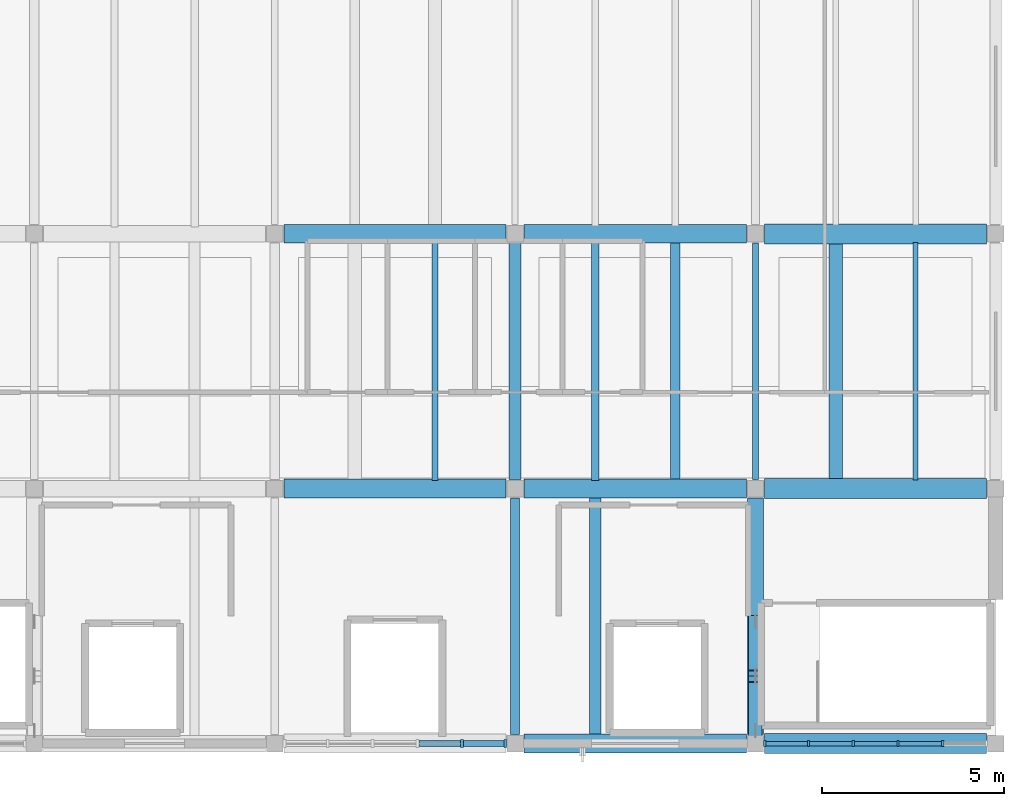
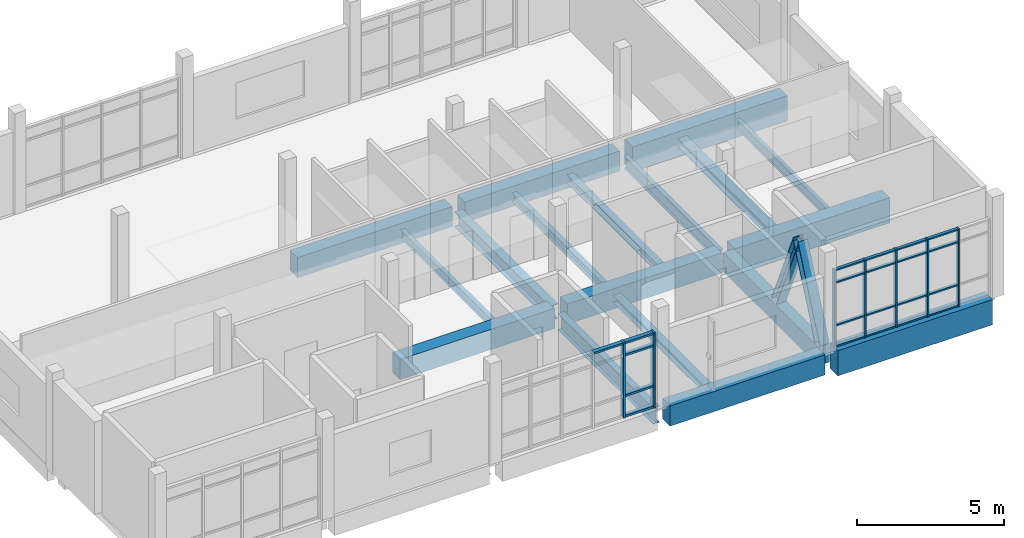
# One storey, part 3 of 10: 30 members, 18 beams, 2 elements without a shape of their own.
"""IFC4 building model written with IfcOpenShell, lengths in metres."""

from ifc_helpers import new_model, si_unit, direction, frame, origin, origin_2d, place, context, subcontext, project, spatial, rectangle, i_section, extrude, material, material_profile, profile_set, type_object, element, aggregate, save


model = new_model("IFC4")

# Units and contexts
model_context = context("Model", 3, precision=1e-05, world=origin(), true_north=direction((0.0, 1.0)))
body_context = subcontext(model_context, "Body", "Model", "MODEL_VIEW")
ifc_project = project(units=[si_unit("LENGTHUNIT", "METRE"), si_unit("AREAUNIT", "SQUARE_METRE"), si_unit("VOLUMEUNIT", "CUBIC_METRE"), si_unit("PLANEANGLEUNIT", "RADIAN"), si_unit("MASSUNIT", "GRAM", prefix="KILO")], contexts=[model_context])

# Site, building, storey
site_placement = place(None, origin())
site = spatial("IfcSite", under=ifc_project, at=site_placement, CompositionType="ELEMENT")
building_placement = place(site_placement, origin())
building = spatial("IfcBuilding", under=site, at=building_placement, Name="Ciguamira Faculty of Natural Sciences", CompositionType="ELEMENT")
storey_placement = place(building_placement, frame((0.0, 0.0, 46.199951171875)))
storey = spatial("IfcBuildingStorey", under=building, at=storey_placement, Name="L11", CompositionType="ELEMENT", Elevation=46.199951171875)

# Curtain wall, members
ifc_material_1 = material(Name="Anodized aluminium curtain wall", Category="aluminium")
curtain_wall_type_1 = type_object("IfcCurtainWallType", Name="CurtainWall_CW-04", PredefinedType="USERDEFINED", material=ifc_material_1)
curtain_wall_1_placement = place(storey_placement, origin())
curtain_wall_1 = element("IfcCurtainWall", 1, at=curtain_wall_1_placement, inside=storey, type_object=curtain_wall_type_1, Name="L11 unitised curtain wall 0172", ObjectType="UNITISED CURTAIN WALL", PredefinedType="USERDEFINED")
ifc_material_2 = material(Name="Anodized aluminium mullion", Category="aluminium")
ifc_material_profile_1 = material_profile(ifc_material_2, rectangle(XDim=0.06005859375, YDim=0.159912109375, at=origin_2d()), Name="ALU-MUL-60X160")
ifc_profile_set_1 = profile_set([ifc_material_profile_1], Name="Anodized aluminium mullion")
member_type_1 = type_object("IfcMemberType", Name="CWMullion_CWM-01", PredefinedType="MULLION", material=ifc_profile_set_1)
member_1_placement = place(storey_placement, frame((97.155029296875, 94.0, 0.0), z_axis=(0.0, 0.0, 1.0), x_axis=(1.0, 0.0, 0.0)))
member_1 = element("IfcMember", 2, at=member_1_placement, type_object=member_type_1, Name="CW-04 mullion 1", PredefinedType="MULLION", context=body_context, shape_type="SweptSolid", body=[
    extrude(rectangle(XDim=0.06005859375, YDim=0.159912109375, at=origin_2d()), origin(), (0.0, 0.0, 1.0), 3.235107421875),
])
member_2_placement = place(storey_placement, frame((98.35498046875, 94.0, 0.0), z_axis=(0.0, 0.0, 1.0), x_axis=(1.0, 0.0, 0.0)))
member_2 = element("IfcMember", 3, at=member_2_placement, type_object=member_type_1, Name="CW-04 mullion 2", PredefinedType="MULLION", context=body_context, shape_type="SweptSolid", body=[
    extrude(rectangle(XDim=0.06005859375, YDim=0.159912109375, at=origin_2d()), origin(), (0.0, 0.0, 1.0), 3.235107421875),
])
member_3_placement = place(storey_placement, frame((99.5849609375, 94.0, 0.0), z_axis=(0.0, 0.0, 1.0), x_axis=(1.0, 0.0, 0.0)))
member_3 = element("IfcMember", 4, at=member_3_placement, type_object=member_type_1, Name="CW-04 mullion 3", PredefinedType="MULLION", context=body_context, shape_type="SweptSolid", body=[
    extrude(rectangle(XDim=0.06005859375, YDim=0.159912109375, at=origin_2d()), origin(), (0.0, 0.0, 1.0), 3.235107421875),
])
member_4_placement = place(storey_placement, frame((100.81494140625, 94.0, 0.0), z_axis=(0.0, 0.0, 1.0), x_axis=(1.0, 0.0, 0.0)))
member_4 = element("IfcMember", 5, at=member_4_placement, type_object=member_type_1, Name="CW-04 mullion 4", PredefinedType="MULLION", context=body_context, shape_type="SweptSolid", body=[
    extrude(rectangle(XDim=0.06005859375, YDim=0.159912109375, at=origin_2d()), origin(), (0.0, 0.0, 1.0), 3.235107421875),
])
member_5_placement = place(storey_placement, frame((102.044921875, 94.0, 0.0), z_axis=(0.0, 0.0, 1.0), x_axis=(1.0, 0.0, 0.0)))
member_5 = element("IfcMember", 6, at=member_5_placement, type_object=member_type_1, Name="CW-04 mullion 5", PredefinedType="MULLION", context=body_context, shape_type="SweptSolid", body=[
    extrude(rectangle(XDim=0.06005859375, YDim=0.159912109375, at=origin_2d()), origin(), (0.0, 0.0, 1.0), 3.235107421875),
])

curtain_wall_type_2 = type_object("IfcCurtainWallType", Name="CurtainWall_CW-03", PredefinedType="USERDEFINED", material=ifc_material_1)
curtain_wall_2_placement = place(storey_placement, origin())
curtain_wall_2 = element("IfcCurtainWall", 7, at=curtain_wall_2_placement, inside=storey, type_object=curtain_wall_type_2, Name="L11 unitised curtain wall 0171", ObjectType="UNITISED CURTAIN WALL", PredefinedType="USERDEFINED")
ifc_material_profile_2 = material_profile(ifc_material_2, rectangle(XDim=0.080078125, YDim=0.219970703125, at=origin_2d()), Name="ALU-MUL-80X220")
ifc_profile_set_2 = profile_set([ifc_material_profile_2], Name="Anodized aluminium mullion")
member_type_2 = type_object("IfcMemberType", Name="CWMullion_CWM-03", PredefinedType="MULLION", material=ifc_profile_set_2)
member_6_placement = place(storey_placement, frame((88.844970703125, 94.0, 0.0), z_axis=(0.0, 0.0, 1.0), x_axis=(1.0, 0.0, 0.0)))
member_6 = element("IfcMember", 8, at=member_6_placement, type_object=member_type_2, Name="CW-03 mullion 5", PredefinedType="MULLION", context=body_context, shape_type="SweptSolid", body=[
    extrude(rectangle(XDim=0.080078125, YDim=0.219970703125, at=origin_2d()), origin(), (0.0, 0.0, 1.0), 3.135009765625),
])
member_7_placement = place(storey_placement, frame((90.034912109375, 94.0, 0.0), z_axis=(0.0, 0.0, 1.0), x_axis=(1.0, 0.0, 0.0)))
member_7 = element("IfcMember", 9, at=member_7_placement, type_object=member_type_2, Name="CW-03 mullion 6", PredefinedType="MULLION", context=body_context, shape_type="SweptSolid", body=[
    extrude(rectangle(XDim=0.080078125, YDim=0.219970703125, at=origin_2d()), origin(), (0.0, 0.0, 1.0), 3.135009765625),
])

# Member
ifc_material_3 = material(Name="Anodized aluminium transom", Category="aluminium")
ifc_material_profile_3 = material_profile(ifc_material_3, rectangle(XDim=0.06005859375, YDim=0.1201171875, at=origin_2d()), Name="ALU-TRN-60X120")
ifc_profile_set_3 = profile_set([ifc_material_profile_3], Name="Anodized aluminium transom")
member_type_3 = type_object("IfcMemberType", Name="CWTransom_CWT-01", PredefinedType="USERDEFINED", material=ifc_profile_set_3)
member_8_placement = place(storey_placement, frame((97.18505859375, 94.0, 0.030029296875), z_axis=(1.0, 0.0, 0.0), x_axis=(0.0, 0.0, 1.0)))
member_8 = element("IfcMember", 10, at=member_8_placement, type_object=member_type_3, Name="CW-04 transom 1.1", ObjectType="TRANSOM", PredefinedType="USERDEFINED", context=body_context, shape_type="SweptSolid", body=[
    extrude(rectangle(XDim=0.06005859375, YDim=0.1201171875, at=origin_2d()), origin(), (0.0, 0.0, 1.0), 1.139892578125),
])

member_9_placement = place(storey_placement, frame((97.18505859375, 94.0, 0.900146484375), z_axis=(1.0, 0.0, 0.0), x_axis=(0.0, 0.0, 1.0)))
member_9 = element("IfcMember", 11, at=member_9_placement, type_object=member_type_3, Name="CW-04 transom 1.2", ObjectType="TRANSOM", PredefinedType="USERDEFINED", context=body_context, shape_type="SweptSolid", body=[
    extrude(rectangle(XDim=0.06005859375, YDim=0.1201171875, at=origin_2d()), origin(), (0.0, 0.0, 1.0), 1.139892578125),
])

member_10_placement = place(storey_placement, frame((97.18505859375, 94.0, 2.68505859375), z_axis=(1.0, 0.0, 0.0), x_axis=(0.0, 0.0, 1.0)))
member_10 = element("IfcMember", 12, at=member_10_placement, type_object=member_type_3, Name="CW-04 transom 1.3", ObjectType="TRANSOM", PredefinedType="USERDEFINED", context=body_context, shape_type="SweptSolid", body=[
    extrude(rectangle(XDim=0.06005859375, YDim=0.1201171875, at=origin_2d()), origin(), (0.0, 0.0, 1.0), 1.139892578125),
])

member_11_placement = place(storey_placement, frame((97.18505859375, 94.0, 3.205078125), z_axis=(1.0, 0.0, 0.0), x_axis=(0.0, 0.0, 1.0)))
member_11 = element("IfcMember", 13, at=member_11_placement, type_object=member_type_3, Name="CW-04 transom 1.4", ObjectType="TRANSOM", PredefinedType="USERDEFINED", context=body_context, shape_type="SweptSolid", body=[
    extrude(rectangle(XDim=0.06005859375, YDim=0.1201171875, at=origin_2d()), origin(), (0.0, 0.0, 1.0), 1.139892578125),
])

member_12_placement = place(storey_placement, frame((98.385009765625, 94.0, 0.030029296875), z_axis=(1.0, 0.0, 0.0), x_axis=(0.0, 0.0, 1.0)))
member_12 = element("IfcMember", 14, at=member_12_placement, type_object=member_type_3, Name="CW-04 transom 2.1", ObjectType="TRANSOM", PredefinedType="USERDEFINED", context=body_context, shape_type="SweptSolid", body=[
    extrude(rectangle(XDim=0.06005859375, YDim=0.1201171875, at=origin_2d()), origin(), (0.0, 0.0, 1.0), 1.169921875),
])

member_13_placement = place(storey_placement, frame((98.385009765625, 94.0, 0.900146484375), z_axis=(1.0, 0.0, 0.0), x_axis=(0.0, 0.0, 1.0)))
member_13 = element("IfcMember", 15, at=member_13_placement, type_object=member_type_3, Name="CW-04 transom 2.2", ObjectType="TRANSOM", PredefinedType="USERDEFINED", context=body_context, shape_type="SweptSolid", body=[
    extrude(rectangle(XDim=0.06005859375, YDim=0.1201171875, at=origin_2d()), origin(), (0.0, 0.0, 1.0), 1.169921875),
])

member_14_placement = place(storey_placement, frame((98.385009765625, 94.0, 2.68505859375), z_axis=(1.0, 0.0, 0.0), x_axis=(0.0, 0.0, 1.0)))
member_14 = element("IfcMember", 16, at=member_14_placement, type_object=member_type_3, Name="CW-04 transom 2.3", ObjectType="TRANSOM", PredefinedType="USERDEFINED", context=body_context, shape_type="SweptSolid", body=[
    extrude(rectangle(XDim=0.06005859375, YDim=0.1201171875, at=origin_2d()), origin(), (0.0, 0.0, 1.0), 1.169921875),
])

member_15_placement = place(storey_placement, frame((98.385009765625, 94.0, 3.205078125), z_axis=(1.0, 0.0, 0.0), x_axis=(0.0, 0.0, 1.0)))
member_15 = element("IfcMember", 17, at=member_15_placement, type_object=member_type_3, Name="CW-04 transom 2.4", ObjectType="TRANSOM", PredefinedType="USERDEFINED", context=body_context, shape_type="SweptSolid", body=[
    extrude(rectangle(XDim=0.06005859375, YDim=0.1201171875, at=origin_2d()), origin(), (0.0, 0.0, 1.0), 1.169921875),
])

member_16_placement = place(storey_placement, frame((99.614990234375, 94.0, 0.030029296875), z_axis=(1.0, 0.0, 0.0), x_axis=(0.0, 0.0, 1.0)))
member_16 = element("IfcMember", 18, at=member_16_placement, type_object=member_type_3, Name="CW-04 transom 3.1", ObjectType="TRANSOM", PredefinedType="USERDEFINED", context=body_context, shape_type="SweptSolid", body=[
    extrude(rectangle(XDim=0.06005859375, YDim=0.1201171875, at=origin_2d()), origin(), (0.0, 0.0, 1.0), 1.169921875),
])

member_17_placement = place(storey_placement, frame((99.614990234375, 94.0, 0.900146484375), z_axis=(1.0, 0.0, 0.0), x_axis=(0.0, 0.0, 1.0)))
member_17 = element("IfcMember", 19, at=member_17_placement, type_object=member_type_3, Name="CW-04 transom 3.2", ObjectType="TRANSOM", PredefinedType="USERDEFINED", context=body_context, shape_type="SweptSolid", body=[
    extrude(rectangle(XDim=0.06005859375, YDim=0.1201171875, at=origin_2d()), origin(), (0.0, 0.0, 1.0), 1.169921875),
])

member_18_placement = place(storey_placement, frame((99.614990234375, 94.0, 2.68505859375), z_axis=(1.0, 0.0, 0.0), x_axis=(0.0, 0.0, 1.0)))
member_18 = element("IfcMember", 20, at=member_18_placement, type_object=member_type_3, Name="CW-04 transom 3.3", ObjectType="TRANSOM", PredefinedType="USERDEFINED", context=body_context, shape_type="SweptSolid", body=[
    extrude(rectangle(XDim=0.06005859375, YDim=0.1201171875, at=origin_2d()), origin(), (0.0, 0.0, 1.0), 1.169921875),
])

member_19_placement = place(storey_placement, frame((99.614990234375, 94.0, 3.205078125), z_axis=(1.0, 0.0, 0.0), x_axis=(0.0, 0.0, 1.0)))
member_19 = element("IfcMember", 21, at=member_19_placement, type_object=member_type_3, Name="CW-04 transom 3.4", ObjectType="TRANSOM", PredefinedType="USERDEFINED", context=body_context, shape_type="SweptSolid", body=[
    extrude(rectangle(XDim=0.06005859375, YDim=0.1201171875, at=origin_2d()), origin(), (0.0, 0.0, 1.0), 1.169921875),
])

member_20_placement = place(storey_placement, frame((100.844970703125, 94.0, 0.030029296875), z_axis=(1.0, 0.0, 0.0), x_axis=(0.0, 0.0, 1.0)))
member_20 = element("IfcMember", 22, at=member_20_placement, type_object=member_type_3, Name="CW-04 transom 4.1", ObjectType="TRANSOM", PredefinedType="USERDEFINED", context=body_context, shape_type="SweptSolid", body=[
    extrude(rectangle(XDim=0.06005859375, YDim=0.1201171875, at=origin_2d()), origin(), (0.0, 0.0, 1.0), 1.169921875),
])

member_21_placement = place(storey_placement, frame((100.844970703125, 94.0, 0.900146484375), z_axis=(1.0, 0.0, 0.0), x_axis=(0.0, 0.0, 1.0)))
member_21 = element("IfcMember", 23, at=member_21_placement, type_object=member_type_3, Name="CW-04 transom 4.2", ObjectType="TRANSOM", PredefinedType="USERDEFINED", context=body_context, shape_type="SweptSolid", body=[
    extrude(rectangle(XDim=0.06005859375, YDim=0.1201171875, at=origin_2d()), origin(), (0.0, 0.0, 1.0), 1.169921875),
])

member_22_placement = place(storey_placement, frame((100.844970703125, 94.0, 2.68505859375), z_axis=(1.0, 0.0, 0.0), x_axis=(0.0, 0.0, 1.0)))
member_22 = element("IfcMember", 24, at=member_22_placement, type_object=member_type_3, Name="CW-04 transom 4.3", ObjectType="TRANSOM", PredefinedType="USERDEFINED", context=body_context, shape_type="SweptSolid", body=[
    extrude(rectangle(XDim=0.06005859375, YDim=0.1201171875, at=origin_2d()), origin(), (0.0, 0.0, 1.0), 1.169921875),
])

member_23_placement = place(storey_placement, frame((100.844970703125, 94.0, 3.205078125), z_axis=(1.0, 0.0, 0.0), x_axis=(0.0, 0.0, 1.0)))
member_23 = element("IfcMember", 25, at=member_23_placement, type_object=member_type_3, Name="CW-04 transom 4.4", ObjectType="TRANSOM", PredefinedType="USERDEFINED", context=body_context, shape_type="SweptSolid", body=[
    extrude(rectangle(XDim=0.06005859375, YDim=0.1201171875, at=origin_2d()), origin(), (0.0, 0.0, 1.0), 1.169921875),
])

aggregate(curtain_wall_1, [member_1, member_2, member_3, member_4, member_5, member_8, member_9, member_10, member_11, member_12, member_13, member_14, member_15, member_16, member_17, member_18, member_19, member_20, member_21, member_22, member_23])

ifc_material_profile_4 = material_profile(ifc_material_3, rectangle(XDim=0.080078125, YDim=0.159912109375, at=origin_2d()), Name="ALU-TRN-80X160")
ifc_profile_set_4 = profile_set([ifc_material_profile_4], Name="Anodized aluminium transom")
member_type_4 = type_object("IfcMemberType", Name="CWTransom_CWT-03", PredefinedType="USERDEFINED", material=ifc_profile_set_4)
member_24_placement = place(storey_placement, frame((87.655029296875, 94.0, 3.094970703125), z_axis=(1.0, 0.0, 0.0), x_axis=(0.0, 0.0, 1.0)))
member_24 = element("IfcMember", 26, at=member_24_placement, type_object=member_type_4, Name="CW-03 transom 4.4", ObjectType="TRANSOM", PredefinedType="USERDEFINED", context=body_context, shape_type="SweptSolid", body=[
    extrude(rectangle(XDim=0.080078125, YDim=0.159912109375, at=origin_2d()), origin(), (0.0, 0.0, 1.0), 1.14990234375),
])

member_25_placement = place(storey_placement, frame((88.885009765625, 94.0, 0.0400390625), z_axis=(1.0, 0.0, 0.0), x_axis=(0.0, 0.0, 1.0)))
member_25 = element("IfcMember", 27, at=member_25_placement, type_object=member_type_4, Name="CW-03 transom 5.1", ObjectType="TRANSOM", PredefinedType="USERDEFINED", context=body_context, shape_type="SweptSolid", body=[
    extrude(rectangle(XDim=0.080078125, YDim=0.159912109375, at=origin_2d()), origin(), (0.0, 0.0, 1.0), 1.110107421875),
])

member_26_placement = place(storey_placement, frame((88.885009765625, 94.0, 0.900146484375), z_axis=(1.0, 0.0, 0.0), x_axis=(0.0, 0.0, 1.0)))
member_26 = element("IfcMember", 28, at=member_26_placement, type_object=member_type_4, Name="CW-03 transom 5.2", ObjectType="TRANSOM", PredefinedType="USERDEFINED", context=body_context, shape_type="SweptSolid", body=[
    extrude(rectangle(XDim=0.080078125, YDim=0.159912109375, at=origin_2d()), origin(), (0.0, 0.0, 1.0), 1.110107421875),
])

member_27_placement = place(storey_placement, frame((88.885009765625, 94.0, 2.5849609375), z_axis=(1.0, 0.0, 0.0), x_axis=(0.0, 0.0, 1.0)))
member_27 = element("IfcMember", 29, at=member_27_placement, type_object=member_type_4, Name="CW-03 transom 5.3", ObjectType="TRANSOM", PredefinedType="USERDEFINED", context=body_context, shape_type="SweptSolid", body=[
    extrude(rectangle(XDim=0.080078125, YDim=0.159912109375, at=origin_2d()), origin(), (0.0, 0.0, 1.0), 1.110107421875),
])

member_28_placement = place(storey_placement, frame((88.885009765625, 94.0, 3.094970703125), z_axis=(1.0, 0.0, 0.0), x_axis=(0.0, 0.0, 1.0)))
member_28 = element("IfcMember", 30, at=member_28_placement, type_object=member_type_4, Name="CW-03 transom 5.4", ObjectType="TRANSOM", PredefinedType="USERDEFINED", context=body_context, shape_type="SweptSolid", body=[
    extrude(rectangle(XDim=0.080078125, YDim=0.159912109375, at=origin_2d()), origin(), (0.0, 0.0, 1.0), 1.110107421875),
])

aggregate(curtain_wall_2, [member_6, member_7, member_24, member_25, member_26, member_27, member_28])

# Beams
ifc_material_4 = material(Name="Concrete C40/50", Category="concrete")
ifc_material_profile_5 = material_profile(ifc_material_4, rectangle(XDim=0.550048828125, YDim=1.050048828125, at=origin_2d()), Name="RC-BM-550X1050")
ifc_profile_set_5 = profile_set([ifc_material_profile_5], Name="Concrete C40/50")
beam_type_1 = type_object("IfcBeamType", Name="RCBeam_BG-01_RC-BM-550X1050", PredefinedType="BEAM", material=ifc_profile_set_5)
for number, where, z_axis, x_axis, name in (
    (31, (97.14990234375, 94.0, -0.52490234375), (1.0, 0.0, 0.0), (0.0, 1.0, 0.0), "L11 RC girder EW-1712"),
    (32, (97.14990234375, 101.0, -0.52490234375), (1.0, 0.0, 0.0), (0.0, 1.0, 0.0), "L11 RC girder EW-1717"),
    (33, (97.14990234375, 108.0, -0.52490234375), (1.0, 0.0, 0.0), (0.0, 1.0, 0.0), "L11 RC girder EW-1722"),
):
    element("IfcBeam", number, at=place(storey_placement, frame(where, z_axis=z_axis, x_axis=x_axis)), inside=storey, type_object=beam_type_1, Name=name, PredefinedType="BEAM", context=body_context, shape_type="SweptSolid", body=[
        extrude(rectangle(XDim=0.550048828125, YDim=1.050048828125, at=origin_2d()), origin(), (0.0, 0.0, 1.0), 6.10009765625),
    ])
ifc_material_profile_6 = material_profile(ifc_material_4, rectangle(XDim=0.43994140625, YDim=0.780029296875, at=origin_2d()), Name="RC-BM-440X780")
ifc_profile_set_6 = profile_set([ifc_material_profile_6], Name="Concrete C40/50")
beam_type_2 = type_object("IfcBeamType", Name="RCBeam_BG-06_RC-BM-440X780", PredefinedType="BEAM", material=ifc_profile_set_6)
beam_1_placement = place(storey_placement, frame((96.89990234375, 94.25, -0.389892578125), z_axis=(0.0, 1.0, 0.0), x_axis=(-1.0, 0.0, 0.0)))
element("IfcBeam", 34, at=beam_1_placement, inside=storey, type_object=beam_type_2, Name="L11 core-end brace tie girder 96", PredefinedType="BEAM", context=body_context, shape_type="SweptSolid", body=[
    extrude(rectangle(XDim=0.43994140625, YDim=0.780029296875, at=origin_2d()), origin(), (0.0, 0.0, 1.0), 6.5),
])
ifc_material_profile_7 = material_profile(ifc_material_4, rectangle(XDim=0.52001953125, YDim=0.840087890625, at=origin_2d()), Name="RC-TB-520X840")
ifc_profile_set_7 = profile_set([ifc_material_profile_7], Name="Concrete C40/50")
beam_type_3 = type_object("IfcBeamType", Name="RCBeam_TB-02_RC-TB-520X840", PredefinedType="T_BEAM", material=ifc_profile_set_7)
beam_2_placement = place(storey_placement, frame((90.550048828125, 94.0, -0.419921875), z_axis=(1.0, 0.0, 0.0), x_axis=(0.0, 1.0, 0.0)))
element("IfcBeam", 35, at=beam_2_placement, inside=storey, type_object=beam_type_3, Name="L11 RC girder EW-1711", PredefinedType="T_BEAM", context=body_context, shape_type="SweptSolid", body=[
    extrude(rectangle(XDim=0.52001953125, YDim=0.840087890625, at=origin_2d()), origin(), (0.0, 0.0, 1.0), 6.099853515625),
])
beam_3_placement = place(storey_placement, frame((83.949951171875, 101.0, -0.419921875), z_axis=(1.0, 0.0, 0.0), x_axis=(0.0, 1.0, 0.0)))
element("IfcBeam", 36, at=beam_3_placement, inside=storey, type_object=beam_type_3, Name="L11 RC girder EW-1715", PredefinedType="T_BEAM", context=body_context, shape_type="SweptSolid", body=[
    extrude(rectangle(XDim=0.52001953125, YDim=0.840087890625, at=origin_2d()), origin(), (0.0, 0.0, 1.0), 6.10009765625),
])
beam_4_placement = place(storey_placement, frame((90.550048828125, 101.0, -0.419921875), z_axis=(1.0, 0.0, 0.0), x_axis=(0.0, 1.0, 0.0)))
element("IfcBeam", 37, at=beam_4_placement, inside=storey, type_object=beam_type_3, Name="L11 RC girder EW-1716", PredefinedType="T_BEAM", context=body_context, shape_type="SweptSolid", body=[
    extrude(rectangle(XDim=0.52001953125, YDim=0.840087890625, at=origin_2d()), origin(), (0.0, 0.0, 1.0), 6.099853515625),
])
beam_5_placement = place(storey_placement, frame((83.949951171875, 108.0, -0.419921875), z_axis=(1.0, 0.0, 0.0), x_axis=(0.0, 1.0, 0.0)))
element("IfcBeam", 38, at=beam_5_placement, inside=storey, type_object=beam_type_3, Name="L11 RC girder EW-1720", PredefinedType="T_BEAM", context=body_context, shape_type="SweptSolid", body=[
    extrude(rectangle(XDim=0.52001953125, YDim=0.840087890625, at=origin_2d()), origin(), (0.0, 0.0, 1.0), 6.10009765625),
])
beam_6_placement = place(storey_placement, frame((90.550048828125, 108.0, -0.419921875), z_axis=(1.0, 0.0, 0.0), x_axis=(0.0, 1.0, 0.0)))
element("IfcBeam", 39, at=beam_6_placement, inside=storey, type_object=beam_type_3, Name="L11 RC girder EW-1721", PredefinedType="T_BEAM", context=body_context, shape_type="SweptSolid", body=[
    extrude(rectangle(XDim=0.52001953125, YDim=0.840087890625, at=origin_2d()), origin(), (0.0, 0.0, 1.0), 6.099853515625),
])
ifc_material_5 = material(Name="Steel ASTM A992 Grade 50", Category="steel")
ifc_material_profile_8 = material_profile(ifc_material_5, i_section(OverallWidth=0.1650390625, OverallDepth=0.52587890625, WebThickness=0.0087890625, FlangeThickness=0.011474609375, at=origin_2d()), Name="W21X44")
ifc_profile_set_8 = profile_set([ifc_material_profile_8], Name="Steel ASTM A992 Grade 50")
beam_type_4 = type_object("IfcBeamType", Name="SteelGirder_SB-26_W21X44", PredefinedType="BEAM", material=ifc_profile_set_8)
beam_7_placement = place(storey_placement, frame((96.89990234375, 101.25, -0.52294921875), z_axis=(0.0, 1.0, 0.0), x_axis=(-1.0, 0.0, 0.0)))
element("IfcBeam", 40, at=beam_7_placement, inside=storey, type_object=beam_type_4, Name="L11 girder NS-1738", PredefinedType="BEAM", context=body_context, shape_type="SweptSolid", body=[
    extrude(i_section(OverallWidth=0.1650390625, OverallDepth=0.52587890625, WebThickness=0.0087890625, FlangeThickness=0.011474609375, at=origin_2d()), origin(), (0.0, 0.0, 1.0), 6.5),
])
ifc_material_profile_9 = material_profile(ifc_material_5, i_section(OverallWidth=0.3251953125, OverallDepth=0.612060546875, WebThickness=0.0126953125, FlangeThickness=0.01904296875, at=origin_2d()), Name="W24X104")
ifc_profile_set_9 = profile_set([ifc_material_profile_9], Name="Steel ASTM A992 Grade 50")
beam_type_5 = type_object("IfcBeamType", Name="SteelGirder_SB-30_W24X104", PredefinedType="BEAM", material=ifc_profile_set_9)
beam_8_placement = place(storey_placement, frame((90.300048828125, 101.25, -0.566162109375), z_axis=(0.0, 1.0, 0.0), x_axis=(-1.0, 0.0, 0.0)))
element("IfcBeam", 41, at=beam_8_placement, inside=storey, type_object=beam_type_5, Name="L11 girder NS-1736", PredefinedType="BEAM", context=body_context, shape_type="SweptSolid", body=[
    extrude(i_section(OverallWidth=0.3251953125, OverallDepth=0.612060546875, WebThickness=0.0126953125, FlangeThickness=0.01904296875, at=origin_2d()), origin(), (0.0, 0.0, 1.0), 6.5),
])
ifc_material_profile_10 = material_profile(ifc_material_5, i_section(OverallWidth=0.25390625, OverallDepth=0.67822265625, WebThickness=0.01171875, FlangeThickness=0.016357421875, at=origin_2d()), Name="W27X84")
ifc_profile_set_10 = profile_set([ifc_material_profile_10], Name="Steel ASTM A992 Grade 50")
beam_type_6 = type_object("IfcBeamType", Name="SteelGirder_SB-34_W27X84", PredefinedType="BEAM", material=ifc_profile_set_10)
beam_9_placement = place(storey_placement, frame((90.300048828125, 94.25, -0.59912109375), z_axis=(0.0, 1.0, 0.0), x_axis=(-1.0, 0.0, 0.0)))
element("IfcBeam", 42, at=beam_9_placement, inside=storey, type_object=beam_type_6, Name="L11 girder NS-1735", PredefinedType="BEAM", context=body_context, shape_type="SweptSolid", body=[
    extrude(i_section(OverallWidth=0.25390625, OverallDepth=0.67822265625, WebThickness=0.01171875, FlangeThickness=0.016357421875, at=origin_2d()), origin(), (0.0, 0.0, 1.0), 6.5),
])
ifc_material_profile_11 = material_profile(ifc_material_5, i_section(OverallWidth=0.3046875, OverallDepth=0.307373046875, WebThickness=0.010009765625, FlangeThickness=0.015380859375, at=origin_2d()), Name="W12X65")
ifc_profile_set_11 = profile_set([ifc_material_profile_11], Name="Steel ASTM A992 Grade 50")
beam_type_7 = type_object("IfcBeamType", Name="SteelJoist_SJ-08_W12X65", PredefinedType="JOIST", material=ifc_profile_set_11)
beam_10_placement = place(storey_placement, frame((92.5, 94.219970703125, -0.41357421875), z_axis=(0.0, 1.0, 0.0), x_axis=(-1.0, 0.0, 0.0)))
element("IfcBeam", 43, at=beam_10_placement, inside=storey, type_object=beam_type_7, Name="L11 composite steel joist 01541", PredefinedType="JOIST", context=body_context, shape_type="SweptSolid", body=[
    extrude(i_section(OverallWidth=0.3046875, OverallDepth=0.307373046875, WebThickness=0.010009765625, FlangeThickness=0.015380859375, at=origin_2d()), origin(), (0.0, 0.0, 1.0), 6.56005859375),
])
ifc_material_profile_12 = material_profile(ifc_material_5, i_section(OverallWidth=0.1708984375, OverallDepth=0.3505859375, WebThickness=0.0068359375, FlangeThickness=0.009765625, at=origin_2d()), Name="W14X30")
ifc_profile_set_12 = profile_set([ifc_material_profile_12], Name="Steel ASTM A992 Grade 50")
beam_type_8 = type_object("IfcBeamType", Name="SteelJoist_SJ-11_W14X30", PredefinedType="JOIST", material=ifc_profile_set_12)
beam_11_placement = place(storey_placement, frame((88.10009765625, 101.219970703125, -0.435302734375), z_axis=(0.0, 1.0, 0.0), x_axis=(-1.0, 0.0, 0.0)))
element("IfcBeam", 44, at=beam_11_placement, inside=storey, type_object=beam_type_8, Name="L11 composite steel joist 01538", PredefinedType="JOIST", context=body_context, shape_type="SweptSolid", body=[
    extrude(i_section(OverallWidth=0.1708984375, OverallDepth=0.3505859375, WebThickness=0.0068359375, FlangeThickness=0.009765625, at=origin_2d()), origin(), (0.0, 0.0, 1.0), 6.56005859375),
])
ifc_material_profile_13 = material_profile(ifc_material_5, i_section(OverallWidth=0.204833984375, OverallDepth=0.35302734375, WebThickness=0.00927734375, FlangeThickness=0.016845703125, at=origin_2d()), Name="W14X53")
ifc_profile_set_13 = profile_set([ifc_material_profile_13], Name="Steel ASTM A992 Grade 50")
beam_type_9 = type_object("IfcBeamType", Name="SteelJoist_SJ-13_W14X53", PredefinedType="JOIST", material=ifc_profile_set_13)
beam_12_placement = place(storey_placement, frame((92.5, 101.219970703125, -0.4365234375), z_axis=(0.0, 1.0, 0.0), x_axis=(-1.0, 0.0, 0.0)))
element("IfcBeam", 45, at=beam_12_placement, inside=storey, type_object=beam_type_9, Name="L11 composite steel joist 01542", PredefinedType="JOIST", context=body_context, shape_type="SweptSolid", body=[
    extrude(i_section(OverallWidth=0.204833984375, OverallDepth=0.35302734375, WebThickness=0.00927734375, FlangeThickness=0.016845703125, at=origin_2d()), origin(), (0.0, 0.0, 1.0), 6.56005859375),
])
ifc_material_profile_14 = material_profile(ifc_material_5, i_section(OverallWidth=0.25390625, OverallDepth=0.355712890625, WebThickness=0.010498046875, FlangeThickness=0.018310546875, at=origin_2d()), Name="W14X68")
ifc_profile_set_14 = profile_set([ifc_material_profile_14], Name="Steel ASTM A992 Grade 50")
beam_type_10 = type_object("IfcBeamType", Name="SteelJoist_SJ-14_W14X68", PredefinedType="JOIST", material=ifc_profile_set_14)
beam_13_placement = place(storey_placement, frame((94.699951171875, 101.219970703125, -0.437744140625), z_axis=(0.0, 1.0, 0.0), x_axis=(-1.0, 0.0, 0.0)))
element("IfcBeam", 46, at=beam_13_placement, inside=storey, type_object=beam_type_10, Name="L11 composite steel joist 01543", PredefinedType="JOIST", context=body_context, shape_type="SweptSolid", body=[
    extrude(i_section(OverallWidth=0.25390625, OverallDepth=0.355712890625, WebThickness=0.010498046875, FlangeThickness=0.018310546875, at=origin_2d()), origin(), (0.0, 0.0, 1.0), 6.56005859375),
])
ifc_material_profile_15 = material_profile(ifc_material_5, i_section(OverallWidth=0.368408203125, OverallDepth=0.355712890625, WebThickness=0.01123046875, FlangeThickness=0.01806640625, at=origin_2d()), Name="W14X90")
ifc_profile_set_15 = profile_set([ifc_material_profile_15], Name="Steel ASTM A992 Grade 50")
beam_type_11 = type_object("IfcBeamType", Name="SteelJoist_SJ-16_W14X90", PredefinedType="JOIST", material=ifc_profile_set_15)
beam_14_placement = place(storey_placement, frame((99.10009765625, 101.235107421875, -0.437744140625), z_axis=(0.0, 1.0, 0.0), x_axis=(-1.0, 0.0, 0.0)))
element("IfcBeam", 47, at=beam_14_placement, inside=storey, type_object=beam_type_11, Name="L11 composite steel joist 01546", PredefinedType="JOIST", context=body_context, shape_type="SweptSolid", body=[
    extrude(i_section(OverallWidth=0.368408203125, OverallDepth=0.355712890625, WebThickness=0.01123046875, FlangeThickness=0.01806640625, at=origin_2d()), origin(), (0.0, 0.0, 1.0), 6.52978515625),
])
ifc_material_profile_16 = material_profile(ifc_material_5, i_section(OverallWidth=0.140380859375, OverallDepth=0.40380859375, WebThickness=0.007080078125, FlangeThickness=0.01123046875, at=origin_2d()), Name="W16X31")
ifc_profile_set_16 = profile_set([ifc_material_profile_16], Name="Steel ASTM A992 Grade 50")
beam_type_12 = type_object("IfcBeamType", Name="SteelJoist_SJ-17_W16X31", PredefinedType="JOIST", material=ifc_profile_set_16)
beam_15_placement = place(storey_placement, frame((101.300048828125, 101.235107421875, -0.4619140625), z_axis=(0.0, 1.0, 0.0), x_axis=(-1.0, 0.0, 0.0)))
element("IfcBeam", 48, at=beam_15_placement, inside=storey, type_object=beam_type_12, Name="L11 composite steel joist 01547", PredefinedType="JOIST", context=body_context, shape_type="SweptSolid", body=[
    extrude(i_section(OverallWidth=0.140380859375, OverallDepth=0.40380859375, WebThickness=0.007080078125, FlangeThickness=0.01123046875, at=origin_2d()), origin(), (0.0, 0.0, 1.0), 6.52978515625),
])

# Members
ifc_material_profile_17 = material_profile(ifc_material_5, i_section(OverallWidth=0.370849609375, OverallDepth=0.36328125, WebThickness=0.013427734375, FlangeThickness=0.021728515625, at=origin_2d()), Name="W14X109")
ifc_profile_set_17 = profile_set([ifc_material_profile_17], Name="Steel ASTM A992 Grade 50")
member_type_5 = type_object("IfcMemberType", Name="SteelMember_BR-02_W14X109", PredefinedType="BRACE", material=ifc_profile_set_17)
for number, where, z_axis, x_axis, name in (
    (49, (96.89990234375, 94.35009765625, 0.0), (0.0, 0.401645143601, 0.915795380323), (-1.0, 0.0, 0.0), "L11 lateral chevron brace 051"),
    (50, (96.89990234375, 97.35009765625, 0.0), (0.0, -0.401645143601, 0.915795380323), (1.0, 0.0, 0.0), "L11 lateral chevron brace 052"),
):
    element("IfcMember", number, at=place(storey_placement, frame(where, z_axis=z_axis, x_axis=x_axis)), inside=storey, type_object=member_type_5, Name=name, PredefinedType="BRACE", context=body_context, shape_type="SweptSolid", body=[
        extrude(i_section(OverallWidth=0.370849609375, OverallDepth=0.36328125, WebThickness=0.013427734375, FlangeThickness=0.021728515625, at=origin_2d()), origin(), (0.0, 0.0, 1.0), 3.734619140625),
    ])

save(model, "model.ifc")
